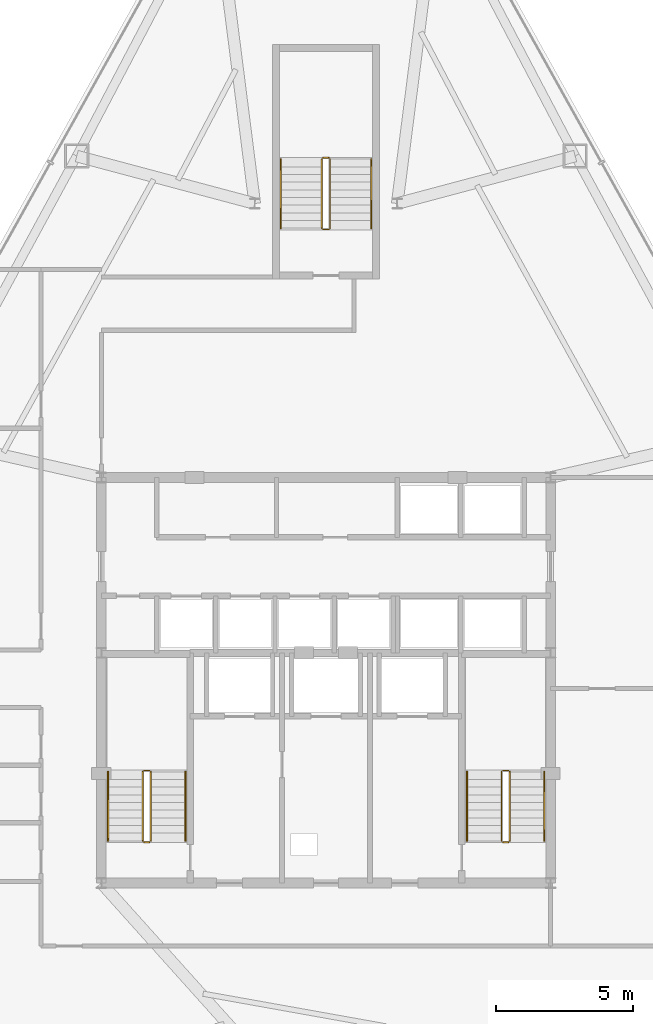
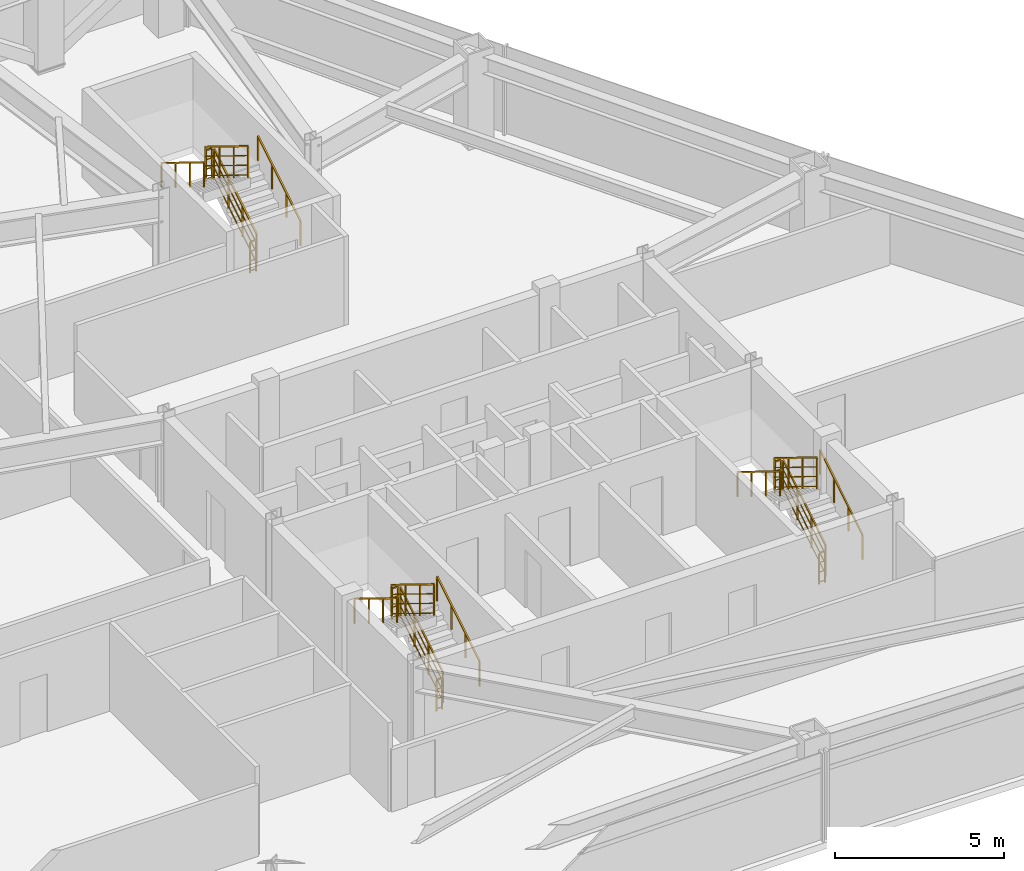
# One storey, part 13 of 13: 18 railings.
"""IFC4 building model written with IfcOpenShell, lengths in metres."""

from ifc_helpers import new_model, si_unit, direction, frame, origin, origin_2d, place, context, subcontext, project, spatial, rectangle, extrude, material, type_object, element, save


model = new_model("IFC4")

# Units and contexts
model_context = context("Model", 3, precision=1e-05, world=origin(), true_north=direction((0.0, 1.0)))
body_context = subcontext(model_context, "Body", "Model", "MODEL_VIEW")
ifc_project = project(units=[si_unit("LENGTHUNIT", "METRE"), si_unit("AREAUNIT", "SQUARE_METRE"), si_unit("VOLUMEUNIT", "CUBIC_METRE"), si_unit("PLANEANGLEUNIT", "RADIAN"), si_unit("MASSUNIT", "GRAM", prefix="KILO")], contexts=[model_context])

# Site, building, storey
site_placement = place(None, origin())
site = spatial("IfcSite", under=ifc_project, at=site_placement, CompositionType="ELEMENT")
building_placement = place(site_placement, origin())
building = spatial("IfcBuilding", under=site, at=building_placement, Name="Varakhsha Concourse Tower", CompositionType="ELEMENT")
storey_placement = place(building_placement, frame((0.0, 0.0, 143.60009765625)))
storey = spatial("IfcBuildingStorey", under=building, at=storey_placement, Name="L41", CompositionType="ELEMENT", Elevation=143.60009765625)

# Railings
ifc_material = material(Name="Brushed Austenitic Stainless Steel AISI 316", Category="steel")
railing_type_1 = type_object("IfcRailingType", Name="RL-STAIR-GUARD-1100", PredefinedType="GUARDRAIL", material=ifc_material)
railing_1_placement = place(storey_placement, frame((33.610107421875, 17.93994140625, 0.17236328125)))
element("IfcRailing", 1, at=railing_1_placement, inside=storey, type_object=railing_type_1, Name="L41 ST1 stair guard 1", PredefinedType="GUARDRAIL", context=body_context, shape_type="SweptSolid", body=[
    extrude(rectangle(XDim=0.048095703125, YDim=0.048095703125, at=origin_2d()), frame((0.0, 0.0, 1.1259765625), z_axis=(0.0, 0.851400495292, 0.524516154772), x_axis=(-1.0, 0.0, 0.0)), (0.0, 0.0, 1.0), 2.9599609375),
    extrude(rectangle(XDim=0.028076171875, YDim=0.028076171875, at=origin_2d()), frame((0.0, 0.0, 0.080078125), z_axis=(0.0, 0.851400495292, 0.524516154772), x_axis=(-1.0, 0.0, 0.0)), (0.0, 0.0, 1.0), 2.9599609375),
    extrude(rectangle(XDim=0.028076171875, YDim=0.028076171875, at=origin_2d()), frame((0.0, 0.0, 0.43701171875), z_axis=(0.0, 0.851400495292, 0.524516154772), x_axis=(-1.0, 0.0, 0.0)), (0.0, 0.0, 1.0), 2.9599609375),
    extrude(rectangle(XDim=0.028076171875, YDim=0.028076171875, at=origin_2d()), frame((0.0, 0.0, 0.781982421875), z_axis=(0.0, 0.851400495292, 0.524516154772), x_axis=(-1.0, 0.0, 0.0)), (0.0, 0.0, 1.0), 2.9599609375),
    extrude(rectangle(XDim=0.0419921875, YDim=0.0419921875, at=origin_2d()), origin(), (0.0, 0.0, 1.0), 1.101806640625),
    extrude(rectangle(XDim=0.0419921875, YDim=0.0419921875, at=origin_2d()), frame((0.0, 0.840087890625, 0.517578125)), (0.0, 0.0, 1.0), 1.101806640625),
    extrude(rectangle(XDim=0.0419921875, YDim=0.0419921875, at=origin_2d()), frame((0.0, 1.679931640625, 1.034912109375)), (0.0, 0.0, 1.0), 1.101806640625),
    extrude(rectangle(XDim=0.0419921875, YDim=0.0419921875, at=origin_2d()), frame((0.0, 2.52001953125, 1.552490234375)), (0.0, 0.0, 1.0), 1.101806640625),
])
railing_2_placement = place(storey_placement, frame((33.56005859375, 20.510009765625, 1.724853515625)))
element("IfcRailing", 2, at=railing_2_placement, inside=storey, type_object=railing_type_1, Name="L41 ST1 stair guard 2", PredefinedType="GUARDRAIL", context=body_context, shape_type="SweptSolid", body=[
    extrude(rectangle(XDim=0.048095703125, YDim=0.048095703125, at=origin_2d()), frame((0.0, 0.0, 1.1259765625), z_axis=(-1.0, 0.0, 0.0), x_axis=(0.0, -1.0, 0.0)), (0.0, 0.0, 1.0), 0.199951171875),
    extrude(rectangle(XDim=0.028076171875, YDim=0.028076171875, at=origin_2d()), frame((0.0, 0.0, 0.080078125), z_axis=(-1.0, 0.0, 0.0), x_axis=(0.0, -1.0, 0.0)), (0.0, 0.0, 1.0), 0.199951171875),
    extrude(rectangle(XDim=0.028076171875, YDim=0.028076171875, at=origin_2d()), frame((0.0, 0.0, 0.43701171875), z_axis=(-1.0, 0.0, 0.0), x_axis=(0.0, -1.0, 0.0)), (0.0, 0.0, 1.0), 0.199951171875),
    extrude(rectangle(XDim=0.028076171875, YDim=0.028076171875, at=origin_2d()), frame((0.0, 0.0, 0.781982421875), z_axis=(-1.0, 0.0, 0.0), x_axis=(0.0, -1.0, 0.0)), (0.0, 0.0, 1.0), 0.199951171875),
    extrude(rectangle(XDim=0.0419921875, YDim=0.0419921875, at=origin_2d()), origin(), (0.0, 0.0, 1.0), 1.101806640625),
    extrude(rectangle(XDim=0.0419921875, YDim=0.0419921875, at=origin_2d()), frame((-0.199951171875, 0.0, 0.0)), (0.0, 0.0, 1.0), 1.101806640625),
])
railing_3_placement = place(storey_placement, frame((33.31005859375, 20.4599609375, 1.8974609375)))
element("IfcRailing", 3, at=railing_3_placement, inside=storey, type_object=railing_type_1, Name="L41 ST1 stair guard 3", PredefinedType="GUARDRAIL", context=body_context, shape_type="SweptSolid", body=[
    extrude(rectangle(XDim=0.048095703125, YDim=0.048095703125, at=origin_2d()), frame((0.0, 0.0, 1.1259765625), z_axis=(0.0, -0.851400495292, 0.524516154772), x_axis=(1.0, 0.0, 0.0)), (0.0, 0.0, 1.0), 2.9599609375),
    extrude(rectangle(XDim=0.028076171875, YDim=0.028076171875, at=origin_2d()), frame((0.0, 0.0, 0.080078125), z_axis=(0.0, -0.851400495292, 0.524516154772), x_axis=(1.0, 0.0, 0.0)), (0.0, 0.0, 1.0), 2.9599609375),
    extrude(rectangle(XDim=0.028076171875, YDim=0.028076171875, at=origin_2d()), frame((0.0, 0.0, 0.43701171875), z_axis=(0.0, -0.851400495292, 0.524516154772), x_axis=(1.0, 0.0, 0.0)), (0.0, 0.0, 1.0), 2.9599609375),
    extrude(rectangle(XDim=0.028076171875, YDim=0.028076171875, at=origin_2d()), frame((0.0, 0.0, 0.781982421875), z_axis=(0.0, -0.851400495292, 0.524516154772), x_axis=(1.0, 0.0, 0.0)), (0.0, 0.0, 1.0), 2.9599609375),
    extrude(rectangle(XDim=0.0419921875, YDim=0.0419921875, at=origin_2d()), origin(), (0.0, 0.0, 1.0), 1.101806640625),
    extrude(rectangle(XDim=0.0419921875, YDim=0.0419921875, at=origin_2d()), frame((0.0, -0.840087890625, 0.517578125)), (0.0, 0.0, 1.0), 1.101806640625),
    extrude(rectangle(XDim=0.0419921875, YDim=0.0419921875, at=origin_2d()), frame((0.0, -1.679931640625, 1.034912109375)), (0.0, 0.0, 1.0), 1.101806640625),
    extrude(rectangle(XDim=0.0419921875, YDim=0.0419921875, at=origin_2d()), frame((0.0, -2.52001953125, 1.552490234375)), (0.0, 0.0, 1.0), 1.101806640625),
])
railing_4_placement = place(storey_placement, frame((33.56005859375, 17.889892578125, 0.0)))
element("IfcRailing", 4, at=railing_4_placement, inside=storey, type_object=railing_type_1, Name="L41 ST1 stair guard 4", PredefinedType="GUARDRAIL", context=body_context, shape_type="SweptSolid", body=[
    extrude(rectangle(XDim=0.048095703125, YDim=0.048095703125, at=origin_2d()), frame((0.0, 0.0, 1.1259765625), z_axis=(-1.0, 0.0, 0.0), x_axis=(0.0, -1.0, 0.0)), (0.0, 0.0, 1.0), 0.199951171875),
    extrude(rectangle(XDim=0.028076171875, YDim=0.028076171875, at=origin_2d()), frame((0.0, 0.0, 0.080078125), z_axis=(-1.0, 0.0, 0.0), x_axis=(0.0, -1.0, 0.0)), (0.0, 0.0, 1.0), 0.199951171875),
    extrude(rectangle(XDim=0.028076171875, YDim=0.028076171875, at=origin_2d()), frame((0.0, 0.0, 0.43701171875), z_axis=(-1.0, 0.0, 0.0), x_axis=(0.0, -1.0, 0.0)), (0.0, 0.0, 1.0), 0.199951171875),
    extrude(rectangle(XDim=0.028076171875, YDim=0.028076171875, at=origin_2d()), frame((0.0, 0.0, 0.781982421875), z_axis=(-1.0, 0.0, 0.0), x_axis=(0.0, -1.0, 0.0)), (0.0, 0.0, 1.0), 0.199951171875),
    extrude(rectangle(XDim=0.0419921875, YDim=0.0419921875, at=origin_2d()), origin(), (0.0, 0.0, 1.0), 1.101806640625),
    extrude(rectangle(XDim=0.0419921875, YDim=0.0419921875, at=origin_2d()), frame((-0.199951171875, 0.0, 0.0)), (0.0, 0.0, 1.0), 1.101806640625),
])
railing_5_placement = place(storey_placement, frame((46.7099609375, 17.93994140625, 0.17236328125)))
element("IfcRailing", 5, at=railing_5_placement, inside=storey, type_object=railing_type_1, Name="L41 ST2 stair guard 1", PredefinedType="GUARDRAIL", context=body_context, shape_type="SweptSolid", body=[
    extrude(rectangle(XDim=0.048095703125, YDim=0.048095703125, at=origin_2d()), frame((0.0, 0.0, 1.1259765625), z_axis=(0.0, 0.851400495292, 0.524516154772), x_axis=(-1.0, 0.0, 0.0)), (0.0, 0.0, 1.0), 2.9599609375),
    extrude(rectangle(XDim=0.028076171875, YDim=0.028076171875, at=origin_2d()), frame((0.0, 0.0, 0.080078125), z_axis=(0.0, 0.851400495292, 0.524516154772), x_axis=(-1.0, 0.0, 0.0)), (0.0, 0.0, 1.0), 2.9599609375),
    extrude(rectangle(XDim=0.028076171875, YDim=0.028076171875, at=origin_2d()), frame((0.0, 0.0, 0.43701171875), z_axis=(0.0, 0.851400495292, 0.524516154772), x_axis=(-1.0, 0.0, 0.0)), (0.0, 0.0, 1.0), 2.9599609375),
    extrude(rectangle(XDim=0.028076171875, YDim=0.028076171875, at=origin_2d()), frame((0.0, 0.0, 0.781982421875), z_axis=(0.0, 0.851400495292, 0.524516154772), x_axis=(-1.0, 0.0, 0.0)), (0.0, 0.0, 1.0), 2.9599609375),
    extrude(rectangle(XDim=0.0419921875, YDim=0.0419921875, at=origin_2d()), origin(), (0.0, 0.0, 1.0), 1.101806640625),
    extrude(rectangle(XDim=0.0419921875, YDim=0.0419921875, at=origin_2d()), frame((0.0, 0.840087890625, 0.517578125)), (0.0, 0.0, 1.0), 1.101806640625),
    extrude(rectangle(XDim=0.0419921875, YDim=0.0419921875, at=origin_2d()), frame((0.0, 1.679931640625, 1.034912109375)), (0.0, 0.0, 1.0), 1.101806640625),
    extrude(rectangle(XDim=0.0419921875, YDim=0.0419921875, at=origin_2d()), frame((0.0, 2.52001953125, 1.552490234375)), (0.0, 0.0, 1.0), 1.101806640625),
])
railing_6_placement = place(storey_placement, frame((46.659912109375, 20.510009765625, 1.724853515625)))
element("IfcRailing", 6, at=railing_6_placement, inside=storey, type_object=railing_type_1, Name="L41 ST2 stair guard 2", PredefinedType="GUARDRAIL", context=body_context, shape_type="SweptSolid", body=[
    extrude(rectangle(XDim=0.048095703125, YDim=0.048095703125, at=origin_2d()), frame((0.0, 0.0, 1.1259765625), z_axis=(-1.0, 0.0, 0.0), x_axis=(0.0, -1.0, 0.0)), (0.0, 0.0, 1.0), 0.199951171875),
    extrude(rectangle(XDim=0.028076171875, YDim=0.028076171875, at=origin_2d()), frame((0.0, 0.0, 0.080078125), z_axis=(-1.0, 0.0, 0.0), x_axis=(0.0, -1.0, 0.0)), (0.0, 0.0, 1.0), 0.199951171875),
    extrude(rectangle(XDim=0.028076171875, YDim=0.028076171875, at=origin_2d()), frame((0.0, 0.0, 0.43701171875), z_axis=(-1.0, 0.0, 0.0), x_axis=(0.0, -1.0, 0.0)), (0.0, 0.0, 1.0), 0.199951171875),
    extrude(rectangle(XDim=0.028076171875, YDim=0.028076171875, at=origin_2d()), frame((0.0, 0.0, 0.781982421875), z_axis=(-1.0, 0.0, 0.0), x_axis=(0.0, -1.0, 0.0)), (0.0, 0.0, 1.0), 0.199951171875),
    extrude(rectangle(XDim=0.0419921875, YDim=0.0419921875, at=origin_2d()), origin(), (0.0, 0.0, 1.0), 1.101806640625),
    extrude(rectangle(XDim=0.0419921875, YDim=0.0419921875, at=origin_2d()), frame((-0.199951171875, 0.0, 0.0)), (0.0, 0.0, 1.0), 1.101806640625),
])
railing_7_placement = place(storey_placement, frame((46.409912109375, 20.4599609375, 1.8974609375)))
element("IfcRailing", 7, at=railing_7_placement, inside=storey, type_object=railing_type_1, Name="L41 ST2 stair guard 3", PredefinedType="GUARDRAIL", context=body_context, shape_type="SweptSolid", body=[
    extrude(rectangle(XDim=0.048095703125, YDim=0.048095703125, at=origin_2d()), frame((0.0, 0.0, 1.1259765625), z_axis=(0.0, -0.851400495292, 0.524516154772), x_axis=(1.0, 0.0, 0.0)), (0.0, 0.0, 1.0), 2.9599609375),
    extrude(rectangle(XDim=0.028076171875, YDim=0.028076171875, at=origin_2d()), frame((0.0, 0.0, 0.080078125), z_axis=(0.0, -0.851400495292, 0.524516154772), x_axis=(1.0, 0.0, 0.0)), (0.0, 0.0, 1.0), 2.9599609375),
    extrude(rectangle(XDim=0.028076171875, YDim=0.028076171875, at=origin_2d()), frame((0.0, 0.0, 0.43701171875), z_axis=(0.0, -0.851400495292, 0.524516154772), x_axis=(1.0, 0.0, 0.0)), (0.0, 0.0, 1.0), 2.9599609375),
    extrude(rectangle(XDim=0.028076171875, YDim=0.028076171875, at=origin_2d()), frame((0.0, 0.0, 0.781982421875), z_axis=(0.0, -0.851400495292, 0.524516154772), x_axis=(1.0, 0.0, 0.0)), (0.0, 0.0, 1.0), 2.9599609375),
    extrude(rectangle(XDim=0.0419921875, YDim=0.0419921875, at=origin_2d()), origin(), (0.0, 0.0, 1.0), 1.101806640625),
    extrude(rectangle(XDim=0.0419921875, YDim=0.0419921875, at=origin_2d()), frame((0.0, -0.840087890625, 0.517578125)), (0.0, 0.0, 1.0), 1.101806640625),
    extrude(rectangle(XDim=0.0419921875, YDim=0.0419921875, at=origin_2d()), frame((0.0, -1.679931640625, 1.034912109375)), (0.0, 0.0, 1.0), 1.101806640625),
    extrude(rectangle(XDim=0.0419921875, YDim=0.0419921875, at=origin_2d()), frame((0.0, -2.52001953125, 1.552490234375)), (0.0, 0.0, 1.0), 1.101806640625),
])
railing_8_placement = place(storey_placement, frame((46.659912109375, 17.889892578125, 0.0)))
element("IfcRailing", 8, at=railing_8_placement, inside=storey, type_object=railing_type_1, Name="L41 ST2 stair guard 4", PredefinedType="GUARDRAIL", context=body_context, shape_type="SweptSolid", body=[
    extrude(rectangle(XDim=0.048095703125, YDim=0.048095703125, at=origin_2d()), frame((0.0, 0.0, 1.1259765625), z_axis=(-1.0, 0.0, 0.0), x_axis=(0.0, -1.0, 0.0)), (0.0, 0.0, 1.0), 0.199951171875),
    extrude(rectangle(XDim=0.028076171875, YDim=0.028076171875, at=origin_2d()), frame((0.0, 0.0, 0.080078125), z_axis=(-1.0, 0.0, 0.0), x_axis=(0.0, -1.0, 0.0)), (0.0, 0.0, 1.0), 0.199951171875),
    extrude(rectangle(XDim=0.028076171875, YDim=0.028076171875, at=origin_2d()), frame((0.0, 0.0, 0.43701171875), z_axis=(-1.0, 0.0, 0.0), x_axis=(0.0, -1.0, 0.0)), (0.0, 0.0, 1.0), 0.199951171875),
    extrude(rectangle(XDim=0.028076171875, YDim=0.028076171875, at=origin_2d()), frame((0.0, 0.0, 0.781982421875), z_axis=(-1.0, 0.0, 0.0), x_axis=(0.0, -1.0, 0.0)), (0.0, 0.0, 1.0), 0.199951171875),
    extrude(rectangle(XDim=0.0419921875, YDim=0.0419921875, at=origin_2d()), origin(), (0.0, 0.0, 1.0), 1.101806640625),
    extrude(rectangle(XDim=0.0419921875, YDim=0.0419921875, at=origin_2d()), frame((-0.199951171875, 0.0, 0.0)), (0.0, 0.0, 1.0), 1.101806640625),
])
railing_9_placement = place(storey_placement, frame((40.14990234375, 40.300048828125, 0.17236328125)))
element("IfcRailing", 9, at=railing_9_placement, inside=storey, type_object=railing_type_1, Name="L41 ST5 stair guard 1", PredefinedType="GUARDRAIL", context=body_context, shape_type="SweptSolid", body=[
    extrude(rectangle(XDim=0.048095703125, YDim=0.048095703125, at=origin_2d()), frame((0.0, 0.0, 1.1259765625), z_axis=(0.0, 0.851400495292, 0.524516154772), x_axis=(-1.0, 0.0, 0.0)), (0.0, 0.0, 1.0), 2.9599609375),
    extrude(rectangle(XDim=0.028076171875, YDim=0.028076171875, at=origin_2d()), frame((0.0, 0.0, 0.080078125), z_axis=(0.0, 0.851400495292, 0.524516154772), x_axis=(-1.0, 0.0, 0.0)), (0.0, 0.0, 1.0), 2.9599609375),
    extrude(rectangle(XDim=0.028076171875, YDim=0.028076171875, at=origin_2d()), frame((0.0, 0.0, 0.43701171875), z_axis=(0.0, 0.851400495292, 0.524516154772), x_axis=(-1.0, 0.0, 0.0)), (0.0, 0.0, 1.0), 2.9599609375),
    extrude(rectangle(XDim=0.028076171875, YDim=0.028076171875, at=origin_2d()), frame((0.0, 0.0, 0.781982421875), z_axis=(0.0, 0.851400495292, 0.524516154772), x_axis=(-1.0, 0.0, 0.0)), (0.0, 0.0, 1.0), 2.9599609375),
    extrude(rectangle(XDim=0.0419921875, YDim=0.0419921875, at=origin_2d()), origin(), (0.0, 0.0, 1.0), 1.101806640625),
    extrude(rectangle(XDim=0.0419921875, YDim=0.0419921875, at=origin_2d()), frame((0.0, 0.840087890625, 0.517578125)), (0.0, 0.0, 1.0), 1.101806640625),
    extrude(rectangle(XDim=0.0419921875, YDim=0.0419921875, at=origin_2d()), frame((0.0, 1.679931640625, 1.034912109375)), (0.0, 0.0, 1.0), 1.101806640625),
    extrude(rectangle(XDim=0.0419921875, YDim=0.0419921875, at=origin_2d()), frame((0.0, 2.52001953125, 1.552490234375)), (0.0, 0.0, 1.0), 1.101806640625),
])
railing_10_placement = place(storey_placement, frame((40.10009765625, 42.8701171875, 1.724853515625)))
element("IfcRailing", 10, at=railing_10_placement, inside=storey, type_object=railing_type_1, Name="L41 ST5 stair guard 2", PredefinedType="GUARDRAIL", context=body_context, shape_type="SweptSolid", body=[
    extrude(rectangle(XDim=0.048095703125, YDim=0.048095703125, at=origin_2d()), frame((0.0, 0.0, 1.1259765625), z_axis=(-1.0, 0.0, 0.0), x_axis=(0.0, -1.0, 0.0)), (0.0, 0.0, 1.0), 0.2001953125),
    extrude(rectangle(XDim=0.028076171875, YDim=0.028076171875, at=origin_2d()), frame((0.0, 0.0, 0.080078125), z_axis=(-1.0, 0.0, 0.0), x_axis=(0.0, -1.0, 0.0)), (0.0, 0.0, 1.0), 0.2001953125),
    extrude(rectangle(XDim=0.028076171875, YDim=0.028076171875, at=origin_2d()), frame((0.0, 0.0, 0.43701171875), z_axis=(-1.0, 0.0, 0.0), x_axis=(0.0, -1.0, 0.0)), (0.0, 0.0, 1.0), 0.2001953125),
    extrude(rectangle(XDim=0.028076171875, YDim=0.028076171875, at=origin_2d()), frame((0.0, 0.0, 0.781982421875), z_axis=(-1.0, 0.0, 0.0), x_axis=(0.0, -1.0, 0.0)), (0.0, 0.0, 1.0), 0.2001953125),
    extrude(rectangle(XDim=0.0419921875, YDim=0.0419921875, at=origin_2d()), origin(), (0.0, 0.0, 1.0), 1.101806640625),
    extrude(rectangle(XDim=0.0419921875, YDim=0.0419921875, at=origin_2d()), frame((-0.2001953125, 0.0, 0.0)), (0.0, 0.0, 1.0), 1.101806640625),
])
railing_11_placement = place(storey_placement, frame((39.85009765625, 42.820068359375, 1.8974609375)))
element("IfcRailing", 11, at=railing_11_placement, inside=storey, type_object=railing_type_1, Name="L41 ST5 stair guard 3", PredefinedType="GUARDRAIL", context=body_context, shape_type="SweptSolid", body=[
    extrude(rectangle(XDim=0.048095703125, YDim=0.048095703125, at=origin_2d()), frame((0.0, 0.0, 1.1259765625), z_axis=(0.0, -0.851400495292, 0.524516154772), x_axis=(1.0, 0.0, 0.0)), (0.0, 0.0, 1.0), 2.9599609375),
    extrude(rectangle(XDim=0.028076171875, YDim=0.028076171875, at=origin_2d()), frame((0.0, 0.0, 0.080078125), z_axis=(0.0, -0.851400495292, 0.524516154772), x_axis=(1.0, 0.0, 0.0)), (0.0, 0.0, 1.0), 2.9599609375),
    extrude(rectangle(XDim=0.028076171875, YDim=0.028076171875, at=origin_2d()), frame((0.0, 0.0, 0.43701171875), z_axis=(0.0, -0.851400495292, 0.524516154772), x_axis=(1.0, 0.0, 0.0)), (0.0, 0.0, 1.0), 2.9599609375),
    extrude(rectangle(XDim=0.028076171875, YDim=0.028076171875, at=origin_2d()), frame((0.0, 0.0, 0.781982421875), z_axis=(0.0, -0.851400495292, 0.524516154772), x_axis=(1.0, 0.0, 0.0)), (0.0, 0.0, 1.0), 2.9599609375),
    extrude(rectangle(XDim=0.0419921875, YDim=0.0419921875, at=origin_2d()), origin(), (0.0, 0.0, 1.0), 1.101806640625),
    extrude(rectangle(XDim=0.0419921875, YDim=0.0419921875, at=origin_2d()), frame((0.0, -0.840087890625, 0.517578125)), (0.0, 0.0, 1.0), 1.101806640625),
    extrude(rectangle(XDim=0.0419921875, YDim=0.0419921875, at=origin_2d()), frame((0.0, -1.679931640625, 1.034912109375)), (0.0, 0.0, 1.0), 1.101806640625),
    extrude(rectangle(XDim=0.0419921875, YDim=0.0419921875, at=origin_2d()), frame((0.0, -2.52001953125, 1.552490234375)), (0.0, 0.0, 1.0), 1.101806640625),
])
railing_12_placement = place(storey_placement, frame((40.10009765625, 40.25, 0.0)))
element("IfcRailing", 12, at=railing_12_placement, inside=storey, type_object=railing_type_1, Name="L41 ST5 stair guard 4", PredefinedType="GUARDRAIL", context=body_context, shape_type="SweptSolid", body=[
    extrude(rectangle(XDim=0.048095703125, YDim=0.048095703125, at=origin_2d()), frame((0.0, 0.0, 1.1259765625), z_axis=(-1.0, 0.0, 0.0), x_axis=(0.0, -1.0, 0.0)), (0.0, 0.0, 1.0), 0.2001953125),
    extrude(rectangle(XDim=0.028076171875, YDim=0.028076171875, at=origin_2d()), frame((0.0, 0.0, 0.080078125), z_axis=(-1.0, 0.0, 0.0), x_axis=(0.0, -1.0, 0.0)), (0.0, 0.0, 1.0), 0.2001953125),
    extrude(rectangle(XDim=0.028076171875, YDim=0.028076171875, at=origin_2d()), frame((0.0, 0.0, 0.43701171875), z_axis=(-1.0, 0.0, 0.0), x_axis=(0.0, -1.0, 0.0)), (0.0, 0.0, 1.0), 0.2001953125),
    extrude(rectangle(XDim=0.028076171875, YDim=0.028076171875, at=origin_2d()), frame((0.0, 0.0, 0.781982421875), z_axis=(-1.0, 0.0, 0.0), x_axis=(0.0, -1.0, 0.0)), (0.0, 0.0, 1.0), 0.2001953125),
    extrude(rectangle(XDim=0.0419921875, YDim=0.0419921875, at=origin_2d()), origin(), (0.0, 0.0, 1.0), 1.101806640625),
    extrude(rectangle(XDim=0.0419921875, YDim=0.0419921875, at=origin_2d()), frame((-0.2001953125, 0.0, 0.0)), (0.0, 0.0, 1.0), 1.101806640625),
])
railing_type_2 = type_object("IfcRailingType", Name="RL-STAIR-RAIL-915", PredefinedType="HANDRAIL", material=ifc_material)
railing_13_placement = place(storey_placement, frame((34.8701171875, 17.93994140625, 0.344970703125)))
element("IfcRailing", 13, at=railing_13_placement, inside=storey, type_object=railing_type_2, Name="L41 ST1 stair handrail 1", PredefinedType="HANDRAIL", context=body_context, shape_type="SweptSolid", body=[
    extrude(rectangle(XDim=0.048095703125, YDim=0.048095703125, at=origin_2d()), frame((0.0, 0.0, 0.89111328125), z_axis=(0.0, 0.851400495292, 0.524516154772), x_axis=(-1.0, 0.0, 0.0)), (0.0, 0.0, 1.0), 2.9599609375),
    extrude(rectangle(XDim=0.0419921875, YDim=0.0419921875, at=origin_2d()), origin(), (0.0, 0.0, 1.0), 0.866943359375),
    extrude(rectangle(XDim=0.0419921875, YDim=0.0419921875, at=origin_2d()), frame((0.0, 0.840087890625, 0.517578125)), (0.0, 0.0, 1.0), 0.866943359375),
    extrude(rectangle(XDim=0.0419921875, YDim=0.0419921875, at=origin_2d()), frame((0.0, 1.679931640625, 1.034912109375)), (0.0, 0.0, 1.0), 0.866943359375),
    extrude(rectangle(XDim=0.0419921875, YDim=0.0419921875, at=origin_2d()), frame((0.0, 2.52001953125, 1.552490234375)), (0.0, 0.0, 1.0), 0.866943359375),
])
railing_14_placement = place(storey_placement, frame((32.050048828125, 20.4599609375, 2.06982421875)))
element("IfcRailing", 14, at=railing_14_placement, inside=storey, type_object=railing_type_2, Name="L41 ST1 stair handrail 2", PredefinedType="HANDRAIL", context=body_context, shape_type="SweptSolid", body=[
    extrude(rectangle(XDim=0.048095703125, YDim=0.048095703125, at=origin_2d()), frame((0.0, 0.0, 0.89111328125), z_axis=(0.0, -0.851400495292, 0.524516154772), x_axis=(1.0, 0.0, 0.0)), (0.0, 0.0, 1.0), 2.9599609375),
    extrude(rectangle(XDim=0.0419921875, YDim=0.0419921875, at=origin_2d()), origin(), (0.0, 0.0, 1.0), 0.866943359375),
    extrude(rectangle(XDim=0.0419921875, YDim=0.0419921875, at=origin_2d()), frame((0.0, -0.840087890625, 0.517578125)), (0.0, 0.0, 1.0), 0.866943359375),
    extrude(rectangle(XDim=0.0419921875, YDim=0.0419921875, at=origin_2d()), frame((0.0, -1.679931640625, 1.034912109375)), (0.0, 0.0, 1.0), 0.866943359375),
    extrude(rectangle(XDim=0.0419921875, YDim=0.0419921875, at=origin_2d()), frame((0.0, -2.52001953125, 1.552490234375)), (0.0, 0.0, 1.0), 0.866943359375),
])
railing_15_placement = place(storey_placement, frame((47.969970703125, 17.93994140625, 0.344970703125)))
element("IfcRailing", 15, at=railing_15_placement, inside=storey, type_object=railing_type_2, Name="L41 ST2 stair handrail 1", PredefinedType="HANDRAIL", context=body_context, shape_type="SweptSolid", body=[
    extrude(rectangle(XDim=0.048095703125, YDim=0.048095703125, at=origin_2d()), frame((0.0, 0.0, 0.89111328125), z_axis=(0.0, 0.851400495292, 0.524516154772), x_axis=(-1.0, 0.0, 0.0)), (0.0, 0.0, 1.0), 2.9599609375),
    extrude(rectangle(XDim=0.0419921875, YDim=0.0419921875, at=origin_2d()), origin(), (0.0, 0.0, 1.0), 0.866943359375),
    extrude(rectangle(XDim=0.0419921875, YDim=0.0419921875, at=origin_2d()), frame((0.0, 0.840087890625, 0.517578125)), (0.0, 0.0, 1.0), 0.866943359375),
    extrude(rectangle(XDim=0.0419921875, YDim=0.0419921875, at=origin_2d()), frame((0.0, 1.679931640625, 1.034912109375)), (0.0, 0.0, 1.0), 0.866943359375),
    extrude(rectangle(XDim=0.0419921875, YDim=0.0419921875, at=origin_2d()), frame((0.0, 2.52001953125, 1.552490234375)), (0.0, 0.0, 1.0), 0.866943359375),
])
railing_16_placement = place(storey_placement, frame((45.14990234375, 20.4599609375, 2.06982421875)))
element("IfcRailing", 16, at=railing_16_placement, inside=storey, type_object=railing_type_2, Name="L41 ST2 stair handrail 2", PredefinedType="HANDRAIL", context=body_context, shape_type="SweptSolid", body=[
    extrude(rectangle(XDim=0.048095703125, YDim=0.048095703125, at=origin_2d()), frame((0.0, 0.0, 0.89111328125), z_axis=(0.0, -0.851400495292, 0.524516154772), x_axis=(1.0, 0.0, 0.0)), (0.0, 0.0, 1.0), 2.9599609375),
    extrude(rectangle(XDim=0.0419921875, YDim=0.0419921875, at=origin_2d()), origin(), (0.0, 0.0, 1.0), 0.866943359375),
    extrude(rectangle(XDim=0.0419921875, YDim=0.0419921875, at=origin_2d()), frame((0.0, -0.840087890625, 0.517578125)), (0.0, 0.0, 1.0), 0.866943359375),
    extrude(rectangle(XDim=0.0419921875, YDim=0.0419921875, at=origin_2d()), frame((0.0, -1.679931640625, 1.034912109375)), (0.0, 0.0, 1.0), 0.866943359375),
    extrude(rectangle(XDim=0.0419921875, YDim=0.0419921875, at=origin_2d()), frame((0.0, -2.52001953125, 1.552490234375)), (0.0, 0.0, 1.0), 0.866943359375),
])
railing_17_placement = place(storey_placement, frame((41.64990234375, 40.300048828125, 0.344970703125)))
element("IfcRailing", 17, at=railing_17_placement, inside=storey, type_object=railing_type_2, Name="L41 ST5 stair handrail 1", PredefinedType="HANDRAIL", context=body_context, shape_type="SweptSolid", body=[
    extrude(rectangle(XDim=0.048095703125, YDim=0.048095703125, at=origin_2d()), frame((0.0, 0.0, 0.89111328125), z_axis=(0.0, 0.851400495292, 0.524516154772), x_axis=(-1.0, 0.0, 0.0)), (0.0, 0.0, 1.0), 2.9599609375),
    extrude(rectangle(XDim=0.0419921875, YDim=0.0419921875, at=origin_2d()), origin(), (0.0, 0.0, 1.0), 0.866943359375),
    extrude(rectangle(XDim=0.0419921875, YDim=0.0419921875, at=origin_2d()), frame((0.0, 0.840087890625, 0.517578125)), (0.0, 0.0, 1.0), 0.866943359375),
    extrude(rectangle(XDim=0.0419921875, YDim=0.0419921875, at=origin_2d()), frame((0.0, 1.679931640625, 1.034912109375)), (0.0, 0.0, 1.0), 0.866943359375),
    extrude(rectangle(XDim=0.0419921875, YDim=0.0419921875, at=origin_2d()), frame((0.0, 2.52001953125, 1.552490234375)), (0.0, 0.0, 1.0), 0.866943359375),
])
railing_18_placement = place(storey_placement, frame((38.35009765625, 42.820068359375, 2.06982421875)))
element("IfcRailing", 18, at=railing_18_placement, inside=storey, type_object=railing_type_2, Name="L41 ST5 stair handrail 2", PredefinedType="HANDRAIL", context=body_context, shape_type="SweptSolid", body=[
    extrude(rectangle(XDim=0.048095703125, YDim=0.048095703125, at=origin_2d()), frame((0.0, 0.0, 0.89111328125), z_axis=(0.0, -0.851400495292, 0.524516154772), x_axis=(1.0, 0.0, 0.0)), (0.0, 0.0, 1.0), 2.9599609375),
    extrude(rectangle(XDim=0.0419921875, YDim=0.0419921875, at=origin_2d()), origin(), (0.0, 0.0, 1.0), 0.866943359375),
    extrude(rectangle(XDim=0.0419921875, YDim=0.0419921875, at=origin_2d()), frame((0.0, -0.840087890625, 0.517578125)), (0.0, 0.0, 1.0), 0.866943359375),
    extrude(rectangle(XDim=0.0419921875, YDim=0.0419921875, at=origin_2d()), frame((0.0, -1.679931640625, 1.034912109375)), (0.0, 0.0, 1.0), 0.866943359375),
    extrude(rectangle(XDim=0.0419921875, YDim=0.0419921875, at=origin_2d()), frame((0.0, -2.52001953125, 1.552490234375)), (0.0, 0.0, 1.0), 0.866943359375),
])

save(model, "model.ifc")
